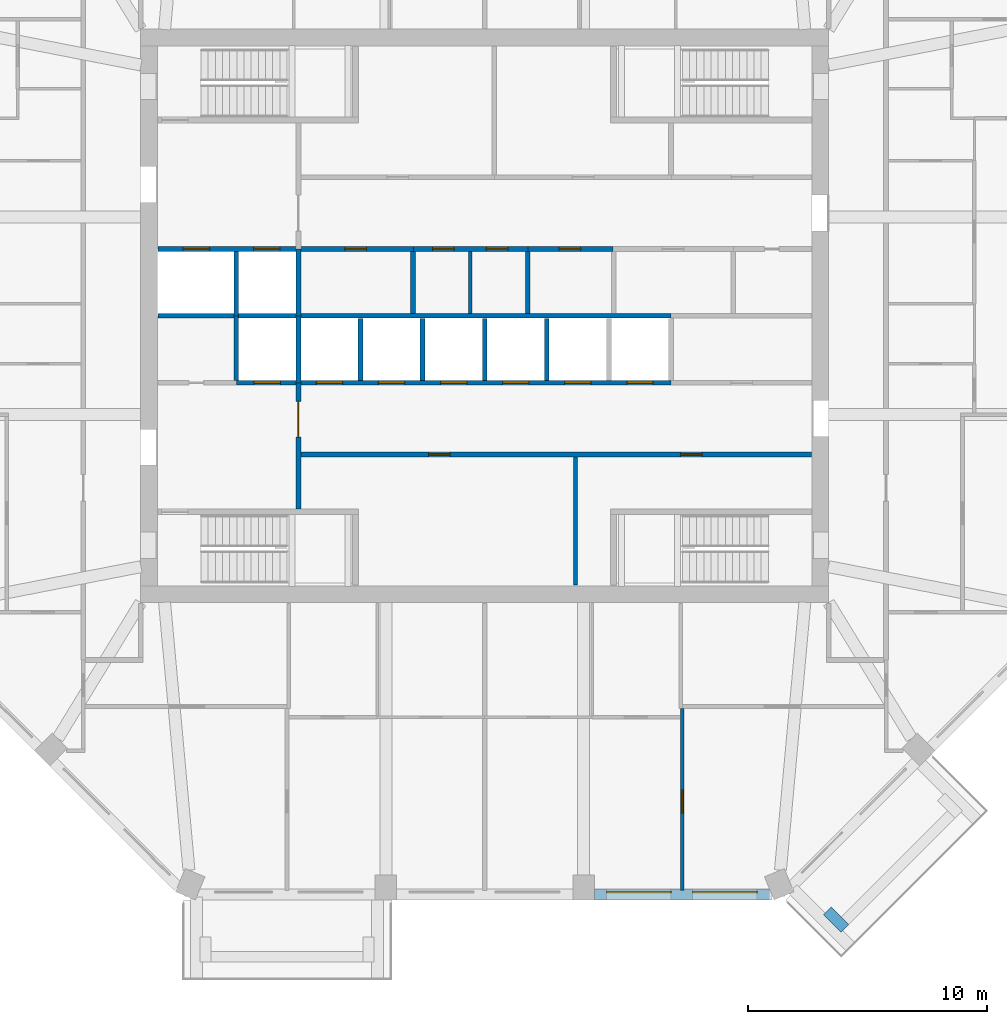
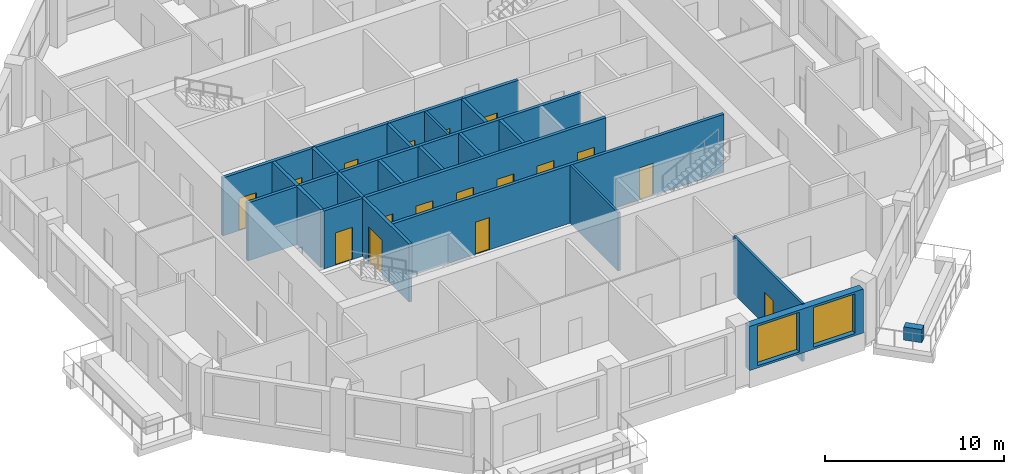
# One storey, part 4 of 10: 23 walls, 17 doors, 2 windows, 19 openings.
"""IFC4 building model written with IfcOpenShell, lengths in metres."""

from ifc_helpers import new_model, si_unit, direction, frame, frame_2d, origin, place, context, subcontext, project, spatial, rectangle, extrude, material, layer, layer_set, type_object, element, fill, save


model = new_model("IFC4")

# Units and contexts
model_context = context("Model", 3, precision=1e-05, world=origin(), true_north=direction((0.0, 1.0)))
body_context = subcontext(model_context, "Body", "Model", "MODEL_VIEW")
ifc_project = project(units=[si_unit("LENGTHUNIT", "METRE"), si_unit("AREAUNIT", "SQUARE_METRE"), si_unit("VOLUMEUNIT", "CUBIC_METRE"), si_unit("PLANEANGLEUNIT", "RADIAN"), si_unit("MASSUNIT", "GRAM", prefix="KILO")], contexts=[model_context])

# Site, building, storey
site_placement = place(None, origin())
site = spatial("IfcSite", under=ifc_project, at=site_placement, CompositionType="ELEMENT")
building_placement = place(site_placement, origin())
building = spatial("IfcBuilding", under=site, at=building_placement, Name="Msitu Wima Residences", CompositionType="ELEMENT")
storey_placement = place(building_placement, frame((0.0, 0.0, 187.5)))
storey = spatial("IfcBuildingStorey", under=building, at=storey_placement, Name="L43", CompositionType="ELEMENT", Elevation=187.5)

# Wall
ifc_material_1 = material(Name="Facing brick")
ifc_layer_1 = layer(ifc_material_1, 0.06494140625, Name="Facing brick")
ifc_material_2 = material(Name="Concrete C40/50", Category="concrete")
ifc_layer_2 = layer(ifc_material_2, 0.156005859375, Name="Concrete C40/50")
ifc_material_3 = material(Name="Waterproofing membrane")
ifc_layer_3 = layer(ifc_material_3, 0.00390625, Name="Waterproofing membrane")
ifc_material_4 = material(Name="Planting soil and planting")
ifc_layer_4 = layer(ifc_material_4, 0.22509765625, Name="Planting soil and planting")
ifc_layer_set_1 = layer_set([ifc_layer_1, ifc_layer_2, ifc_layer_3, ifc_layer_4], Name="Concrete C40/50")
wall_type_1 = type_object("IfcWallType", Name="Balcony planter PLANTER PL450", PredefinedType="USERDEFINED", material=ifc_layer_set_1)
wall_1_placement = place(storey_placement, frame((14.338623046875, -24.901611328125, 0.0), z_axis=(0.0, 0.0, 1.0), x_axis=(0.707106781187, -0.707106781187, 0.0)))
element("IfcWall", 1, at=wall_1_placement, inside=storey, type_object=wall_type_1, Name="Balcony planter SE0 L43", ObjectType="PLANTER", PredefinedType="USERDEFINED", context=body_context, shape_type="SweptSolid", body=[
    extrude(rectangle(XDim=1.050048828125, YDim=0.449951171875, at=frame_2d((0.52490234375, 0.0))), origin(), (0.0, 0.0, 1.0), 0.89990234375),
])

# Wall, openings, windows
ifc_material_5 = material(Name="Brick (red buff mix)", Category="masonry")
ifc_layer_5 = layer(ifc_material_5, 0.449951171875)
ifc_layer_set_2 = layer_set([ifc_layer_5], Name="Brick (red buff mix)")
wall_type_2 = type_object("IfcWallType", Name="Brick infill wall BW450", PredefinedType="SOLIDWALL", material=ifc_layer_set_2)
wall_2_placement = place(storey_placement, frame((4.587158203125, -24.22509765625, 0.89990234375), z_axis=(0.0, 0.0, 1.0), x_axis=(1.0, 0.0, 0.0)))
wall_2 = element("IfcWall", 2, at=wall_2_placement, inside=storey, type_object=wall_type_2, Name="Brick infill wall L43 S2", PredefinedType="SOLIDWALL", context=body_context, shape_type="SweptSolid", body=[
    extrude(rectangle(XDim=7.337646484375, YDim=0.449951171875, at=frame_2d((3.6689453125, 0.0))), origin(), (0.0, 0.0, 1.0), 3.0),
])
opening_1_placement = place(wall_2_placement, frame((0.518798828125, 0.0, 0.14990234375)))
opening_1 = element("IfcOpeningElement", 3, at=opening_1_placement, cuts=wall_2, Name="Opening W43-45.020", PredefinedType="OPENING", context=body_context, shape_type="SweptSolid", body=[
    extrude(rectangle(XDim=2.699951171875, YDim=2.699951171875, at=frame_2d((1.35009765625, 1.35009765625))), frame((0.0, 0.23486328125, 0.0), z_axis=(0.0, -1.0, 0.0), x_axis=(1.0, 0.0, 0.0)), (0.0, 0.0, 1.0), 0.469970703125),
])
opening_2_placement = place(wall_2_placement, frame((4.11865234375, 0.0, 0.14990234375)))
opening_2 = element("IfcOpeningElement", 4, at=opening_2_placement, cuts=wall_2, Name="Opening W43-45.021", PredefinedType="OPENING", context=body_context, shape_type="SweptSolid", body=[
    extrude(rectangle(XDim=2.699951171875, YDim=2.699951171875, at=frame_2d((1.35009765625, 1.35009765625))), frame((0.0, 0.23486328125, 0.0), z_axis=(0.0, -1.0, 0.0), x_axis=(1.0, 0.0, 0.0)), (0.0, 0.0, 1.0), 0.469970703125),
])
ifc_material_6 = material(Name="Anodised aluminium, bronze finish, clear low-emissivity double glazing", Category="aluminium")
window_type = type_object("IfcWindowType", Name="Window W2700x2700", PartitioningType="DOUBLE_PANEL_VERTICAL", PredefinedType="WINDOW", material=ifc_material_6)
window_1_placement = place(opening_1_placement, origin())
window_1 = element("IfcWindow", 5, at=window_1_placement, inside=storey, type_object=window_type, Name="Window L43 S2.1", OverallHeight=2.699951171875, OverallWidth=2.699951171875, PartitioningType="SINGLE_PANEL", PredefinedType="WINDOW", context=body_context, shape_type="SweptSolid", body=[
    extrude(rectangle(XDim=2.699951171875, YDim=2.699951171875, at=frame_2d((1.35009765625, 1.35009765625))), frame((0.0, 0.135009765625, 0.0), z_axis=(0.0, -1.0, 0.0), x_axis=(1.0, 0.0, 0.0)), (0.0, 0.0, 1.0), 0.06005859375),
])
fill(opening_1, window_1)
window_2_placement = place(opening_2_placement, origin())
window_2 = element("IfcWindow", 6, at=window_2_placement, inside=storey, type_object=window_type, Name="Window L43 S2.2", OverallHeight=2.699951171875, OverallWidth=2.699951171875, PartitioningType="SINGLE_PANEL", PredefinedType="WINDOW", context=body_context, shape_type="SweptSolid", body=[
    extrude(rectangle(XDim=2.699951171875, YDim=2.699951171875, at=frame_2d((1.35009765625, 1.35009765625))), frame((0.0, 0.135009765625, 0.0), z_axis=(0.0, -1.0, 0.0), x_axis=(1.0, 0.0, 0.0)), (0.0, 0.0, 1.0), 0.06005859375),
])
fill(opening_2, window_2)

# Wall, opening, door
ifc_material_7 = material(Name="Plaster")
ifc_layer_6 = layer(ifc_material_7, 0.011962890625, Name="Plaster")
ifc_material_8 = material(Name="Concrete blockwork", Category="masonry")
ifc_layer_7 = layer(ifc_material_8, 0.176025390625, Name="Concrete blockwork")
ifc_layer_8 = layer(ifc_material_7, 0.011962890625, Name="Plaster")
ifc_layer_set_3 = layer_set([ifc_layer_6, ifc_layer_7, ifc_layer_8], Name="Concrete blockwork")
wall_type_3 = type_object("IfcWallType", Name="Corridor wall FW200", PredefinedType="PARTITIONING", material=ifc_layer_set_3)
wall_3_placement = place(storey_placement, frame((-7.800048828125, -8.074951171875, 0.0), z_axis=(0.0, 0.0, 1.0), x_axis=(0.0, 1.0, 0.0)))
wall_3 = element("IfcWall", 7, at=wall_3_placement, inside=storey, type_object=wall_type_3, Name="Corridor wall", PredefinedType="PARTITIONING", context=body_context, shape_type="SweptSolid", body=[
    extrude(rectangle(XDim=5.27490234375, YDim=0.199951171875, at=frame_2d((2.637451171875, 0.0))), origin(), (0.0, 0.0, 1.0), 3.949951171875),
])
opening_3_placement = place(wall_3_placement, frame((3.0, 0.0, 0.0)))
opening_3 = element("IfcOpeningElement", 8, at=opening_3_placement, cuts=wall_3, Name="Opening D43-45.054", PredefinedType="OPENING", context=body_context, shape_type="SweptSolid", body=[
    extrude(rectangle(XDim=1.5, YDim=2.39990234375, at=frame_2d((0.75, 1.199951171875))), frame((0.0, 0.10986328125, 0.0), z_axis=(0.0, -1.0, 0.0), x_axis=(1.0, 0.0, 0.0)), (0.0, 0.0, 1.0), 0.219970703125),
])
ifc_material_9 = material(Name="Steel framed glazed door, fire resisting", Category="steel")
door_type_1 = type_object("IfcDoorType", Name="Lobby door D07 1500x2400", OperationType="DOUBLE_DOOR_SINGLE_SWING", PredefinedType="DOOR", material=ifc_material_9)
door_1_placement = place(opening_3_placement, origin())
door_1 = element("IfcDoor", 9, at=door_1_placement, inside=storey, type_object=door_type_1, Name="Lobby door", OperationType="DOUBLE_DOOR_SINGLE_SWING", OverallHeight=2.39990234375, OverallWidth=1.5, PredefinedType="DOOR", context=body_context, shape_type="SweptSolid", body=[
    extrude(rectangle(XDim=1.5, YDim=2.39990234375, at=frame_2d((0.75, 1.199951171875))), frame((0.0, 0.02490234375, 0.0), z_axis=(0.0, -1.0, 0.0), x_axis=(1.0, 0.0, 0.0)), (0.0, 0.0, 1.0), 0.050048828125),
])
fill(opening_3, door_1)

# Wall, openings, doors
wall_4_placement = place(storey_placement, frame((-7.699951171875, -5.800048828125, 0.0), z_axis=(0.0, 0.0, 1.0), x_axis=(1.0, 0.0, 0.0)))
wall_4 = element("IfcWall", 10, at=wall_4_placement, inside=storey, type_object=wall_type_3, Name="Corridor wall", PredefinedType="PARTITIONING", context=body_context, shape_type="SweptSolid", body=[
    extrude(rectangle(XDim=21.369873046875, YDim=0.199951171875, at=frame_2d((10.68505859375, 0.0))), origin(), (0.0, 0.0, 1.0), 3.949951171875),
])
opening_4_placement = place(wall_4_placement, frame((5.35009765625, 0.0, 0.0)))
opening_4 = element("IfcOpeningElement", 11, at=opening_4_placement, cuts=wall_4, Name="Opening D43-45.058", PredefinedType="OPENING", context=body_context, shape_type="SweptSolid", body=[
    extrude(rectangle(XDim=0.89990234375, YDim=2.199951171875, at=frame_2d((0.449951171875, 1.10009765625))), frame((0.0, 0.10986328125, 0.0), z_axis=(0.0, -1.0, 0.0), x_axis=(1.0, 0.0, 0.0)), (0.0, 0.0, 1.0), 0.219970703125),
])
opening_5_placement = place(wall_4_placement, frame((15.89990234375, 0.0, 0.0)))
opening_5 = element("IfcOpeningElement", 12, at=opening_5_placement, cuts=wall_4, Name="Opening D43-45.059", PredefinedType="OPENING", context=body_context, shape_type="SweptSolid", body=[
    extrude(rectangle(XDim=0.89990234375, YDim=2.199951171875, at=frame_2d((0.449951171875, 1.10009765625))), frame((0.0, 0.10986328125, 0.0), z_axis=(0.0, -1.0, 0.0), x_axis=(1.0, 0.0, 0.0)), (0.0, 0.0, 1.0), 0.219970703125),
])
ifc_material_10 = material(Name="Timber flush door", Category="wood")
door_type_2 = type_object("IfcDoorType", Name="Service door D05 900x2200", OperationType="SINGLE_SWING_LEFT", PredefinedType="DOOR", material=ifc_material_10)
door_2_placement = place(opening_4_placement, origin())
door_2 = element("IfcDoor", 13, at=door_2_placement, inside=storey, type_object=door_type_2, Name="Service door", OperationType="SINGLE_SWING_RIGHT", OverallHeight=2.199951171875, OverallWidth=0.89990234375, PredefinedType="DOOR", context=body_context, shape_type="SweptSolid", body=[
    extrude(rectangle(XDim=0.89990234375, YDim=2.199951171875, at=frame_2d((0.449951171875, 1.10009765625))), frame((0.0, 0.02490234375, 0.0), z_axis=(0.0, -1.0, 0.0), x_axis=(1.0, 0.0, 0.0)), (0.0, 0.0, 1.0), 0.050048828125),
])
fill(opening_4, door_2)
door_3_placement = place(opening_5_placement, origin())
door_3 = element("IfcDoor", 14, at=door_3_placement, inside=storey, type_object=door_type_2, Name="Service door", OperationType="SINGLE_SWING_LEFT", OverallHeight=2.199951171875, OverallWidth=0.89990234375, PredefinedType="DOOR", context=body_context, shape_type="SweptSolid", body=[
    extrude(rectangle(XDim=0.89990234375, YDim=2.199951171875, at=frame_2d((0.449951171875, 1.10009765625))), frame((0.0, 0.02490234375, 0.0), z_axis=(0.0, -1.0, 0.0), x_axis=(1.0, 0.0, 0.0)), (0.0, 0.0, 1.0), 0.050048828125),
])
fill(opening_5, door_3)

wall_5_placement = place(storey_placement, frame((-2.97998046875, 2.800048828125, 0.0), z_axis=(0.0, 0.0, 1.0), x_axis=(1.0, 0.0, 0.0)))
wall_5 = element("IfcWall", 15, at=wall_5_placement, inside=storey, type_object=wall_type_3, Name="Corridor wall", PredefinedType="PARTITIONING", context=body_context, shape_type="SweptSolid", body=[
    extrude(rectangle(XDim=4.800048828125, YDim=0.199951171875, at=frame_2d((2.39990234375, 0.0))), origin(), (0.0, 0.0, 1.0), 3.949951171875),
])
opening_6_placement = place(wall_5_placement, frame((0.800048828125, 0.0, 0.0)))
opening_6 = element("IfcOpeningElement", 16, at=opening_6_placement, cuts=wall_5, Name="Opening D43-45.063", PredefinedType="OPENING", context=body_context, shape_type="SweptSolid", body=[
    extrude(rectangle(XDim=0.89990234375, YDim=2.199951171875, at=frame_2d((0.449951171875, 1.10009765625))), frame((0.0, 0.10986328125, 0.0), z_axis=(0.0, -1.0, 0.0), x_axis=(1.0, 0.0, 0.0)), (0.0, 0.0, 1.0), 0.219970703125),
])
opening_7_placement = place(wall_5_placement, frame((3.050048828125, 0.0, 0.0)))
opening_7 = element("IfcOpeningElement", 17, at=opening_7_placement, cuts=wall_5, Name="Opening D43-45.064", PredefinedType="OPENING", context=body_context, shape_type="SweptSolid", body=[
    extrude(rectangle(XDim=0.89990234375, YDim=2.199951171875, at=frame_2d((0.449951171875, 1.10009765625))), frame((0.0, 0.10986328125, 0.0), z_axis=(0.0, -1.0, 0.0), x_axis=(1.0, 0.0, 0.0)), (0.0, 0.0, 1.0), 0.219970703125),
])
door_4_placement = place(opening_6_placement, origin())
door_4 = element("IfcDoor", 18, at=door_4_placement, inside=storey, type_object=door_type_2, Name="Service door", OperationType="SINGLE_SWING_LEFT", OverallHeight=2.199951171875, OverallWidth=0.89990234375, PredefinedType="DOOR", context=body_context, shape_type="SweptSolid", body=[
    extrude(rectangle(XDim=0.89990234375, YDim=2.199951171875, at=frame_2d((0.449951171875, 1.10009765625))), frame((0.0, 0.02490234375, 0.0), z_axis=(0.0, -1.0, 0.0), x_axis=(1.0, 0.0, 0.0)), (0.0, 0.0, 1.0), 0.050048828125),
])
fill(opening_6, door_4)
door_5_placement = place(opening_7_placement, origin())
door_5 = element("IfcDoor", 19, at=door_5_placement, inside=storey, type_object=door_type_2, Name="Service door", OperationType="SINGLE_SWING_RIGHT", OverallHeight=2.199951171875, OverallWidth=0.89990234375, PredefinedType="DOOR", context=body_context, shape_type="SweptSolid", body=[
    extrude(rectangle(XDim=0.89990234375, YDim=2.199951171875, at=frame_2d((0.449951171875, 1.10009765625))), frame((0.0, 0.02490234375, 0.0), z_axis=(0.0, -1.0, 0.0), x_axis=(1.0, 0.0, 0.0)), (0.0, 0.0, 1.0), 0.050048828125),
])
fill(opening_7, door_5)

# Walls
ifc_layer_9 = layer(ifc_material_7, 0.011962890625, Name="Plaster")
ifc_layer_10 = layer(ifc_material_8, 0.1259765625, Name="Concrete blockwork")
ifc_layer_11 = layer(ifc_material_7, 0.011962890625, Name="Plaster")
ifc_layer_set_4 = layer_set([ifc_layer_9, ifc_layer_10, ifc_layer_11], Name="Concrete blockwork")
wall_type_4 = type_object("IfcWallType", Name="Partition PW150", PredefinedType="PARTITIONING", material=ifc_layer_set_4)
wall_6_placement = place(storey_placement, frame((-0.60009765625, 0.10009765625, 0.0), z_axis=(0.0, 0.0, 1.0), x_axis=(0.0, 1.0, 0.0)))
element("IfcWall", 20, at=wall_6_placement, inside=storey, type_object=wall_type_4, Name="Partition", PredefinedType="PARTITIONING", context=body_context, shape_type="SweptSolid", body=[
    extrude(rectangle(XDim=2.599853515625, YDim=0.14990234375, at=frame_2d((1.2998046875, 0.0))), origin(), (0.0, 0.0, 1.0), 3.949951171875),
])
wall_7_placement = place(storey_placement, frame((3.800048828125, -11.27001953125, 0.0), z_axis=(0.0, 0.0, 1.0), x_axis=(0.0, 1.0, 0.0)))
element("IfcWall", 21, at=wall_7_placement, inside=storey, type_object=wall_type_4, Name="Partition", PredefinedType="PARTITIONING", context=body_context, shape_type="SweptSolid", body=[
    extrude(rectangle(XDim=5.3701171875, YDim=0.14990234375, at=frame_2d((2.68505859375, 0.0))), origin(), (0.0, 0.0, 1.0), 3.949951171875),
])

# Wall, opening, door
wall_8_placement = place(storey_placement, frame((8.2744140625, -24.054931640625, 0.0), z_axis=(0.0, 0.0, 1.0), x_axis=(0.0, 1.0, 0.0)))
wall_8 = element("IfcWall", 22, at=wall_8_placement, inside=storey, type_object=wall_type_4, Name="Partition", PredefinedType="PARTITIONING", context=body_context, shape_type="SweptSolid", body=[
    extrude(rectangle(XDim=7.6298828125, YDim=0.14990234375, at=frame_2d((3.81494140625, 0.0))), origin(), (0.0, 0.0, 1.0), 3.949951171875),
])
opening_8_placement = place(wall_8_placement, frame((3.25, 0.0, 0.0)))
opening_8 = element("IfcOpeningElement", 23, at=opening_8_placement, cuts=wall_8, Name="Opening D43-45.013", PredefinedType="OPENING", context=body_context, shape_type="SweptSolid", body=[
    extrude(rectangle(XDim=0.949951171875, YDim=2.199951171875, at=frame_2d((0.47509765625, 1.10009765625))), frame((0.0, 0.0849609375, 0.0), z_axis=(0.0, -1.0, 0.0), x_axis=(1.0, 0.0, 0.0)), (0.0, 0.0, 1.0), 0.169921875),
])
door_type_3 = type_object("IfcDoorType", Name="Room door D12 950x2200", OperationType="SINGLE_SWING_LEFT", PredefinedType="DOOR", material=ifc_material_10)
door_6_placement = place(opening_8_placement, origin())
door_6 = element("IfcDoor", 24, at=door_6_placement, inside=storey, type_object=door_type_3, Name="Room door", OperationType="SINGLE_SWING_RIGHT", OverallHeight=2.199951171875, OverallWidth=0.949951171875, PredefinedType="DOOR", context=body_context, shape_type="SweptSolid", body=[
    extrude(rectangle(XDim=0.949951171875, YDim=2.199951171875, at=frame_2d((0.47509765625, 1.10009765625))), frame((0.0, 0.02490234375, 0.0), z_axis=(0.0, -1.0, 0.0), x_axis=(1.0, 0.0, 0.0)), (0.0, 0.0, 1.0), 0.050048828125),
])
fill(opening_8, door_6)

ifc_layer_12 = layer(ifc_material_7, 0.011962890625, Name="Plaster")
ifc_material_11 = material(Name="Reinforced concrete blockwork", Category="masonry")
ifc_layer_13 = layer(ifc_material_11, 0.176025390625, Name="Reinforced concrete blockwork")
ifc_layer_14 = layer(ifc_material_7, 0.011962890625, Name="Plaster")
ifc_layer_set_5 = layer_set([ifc_layer_12, ifc_layer_13, ifc_layer_14], Name="Reinforced concrete blockwork")
wall_type_5 = type_object("IfcWallType", Name="Plant and riser wall PL200", PredefinedType="PARTITIONING", material=ifc_layer_set_5)
wall_9_placement = place(storey_placement, frame((-7.800048828125, 2.800048828125, 0.0), z_axis=(0.0, 0.0, 1.0), x_axis=(1.0, 0.0, 0.0)))
wall_9 = element("IfcWall", 25, at=wall_9_placement, inside=storey, type_object=wall_type_5, Name="Plant and riser wall", PredefinedType="PARTITIONING", context=body_context, shape_type="SweptSolid", body=[
    extrude(rectangle(XDim=4.820068359375, YDim=0.199951171875, at=frame_2d((2.41015625, 0.0))), origin(), (0.0, 0.0, 1.0), 3.949951171875),
])
opening_9_placement = place(wall_9_placement, frame((1.949951171875, 0.0, 0.0)))
opening_9 = element("IfcOpeningElement", 26, at=opening_9_placement, cuts=wall_9, Name="Opening D43-45.062", PredefinedType="OPENING", context=body_context, shape_type="SweptSolid", body=[
    extrude(rectangle(XDim=0.89990234375, YDim=2.199951171875, at=frame_2d((0.449951171875, 1.10009765625))), frame((0.0, 0.10986328125, 0.0), z_axis=(0.0, -1.0, 0.0), x_axis=(1.0, 0.0, 0.0)), (0.0, 0.0, 1.0), 0.219970703125),
])
door_7_placement = place(opening_9_placement, origin())
door_7 = element("IfcDoor", 27, at=door_7_placement, inside=storey, type_object=door_type_2, Name="Service door", OperationType="SINGLE_SWING_RIGHT", OverallHeight=2.199951171875, OverallWidth=0.89990234375, PredefinedType="DOOR", context=body_context, shape_type="SweptSolid", body=[
    extrude(rectangle(XDim=0.89990234375, YDim=2.199951171875, at=frame_2d((0.449951171875, 1.10009765625))), frame((0.0, 0.02490234375, 0.0), z_axis=(0.0, -1.0, 0.0), x_axis=(1.0, 0.0, 0.0)), (0.0, 0.0, 1.0), 0.050048828125),
])
fill(opening_9, door_7)

# Wall
wall_10_placement = place(storey_placement, frame((-3.0, 0.10009765625, 0.0), z_axis=(0.0, 0.0, 1.0), x_axis=(0.0, 1.0, 0.0)))
element("IfcWall", 28, at=wall_10_placement, inside=storey, type_object=wall_type_5, Name="Plant and riser wall", PredefinedType="PARTITIONING", context=body_context, shape_type="SweptSolid", body=[
    extrude(rectangle(XDim=2.599853515625, YDim=0.199951171875, at=frame_2d((1.2998046875, 0.0))), origin(), (0.0, 0.0, 1.0), 3.949951171875),
])

# Wall, opening, door
wall_11_placement = place(storey_placement, frame((1.820068359375, 2.800048828125, 0.0), z_axis=(0.0, 0.0, 1.0), x_axis=(1.0, 0.0, 0.0)))
wall_11 = element("IfcWall", 29, at=wall_11_placement, inside=storey, type_object=wall_type_5, Name="Plant and riser wall", PredefinedType="PARTITIONING", context=body_context, shape_type="SweptSolid", body=[
    extrude(rectangle(XDim=3.559814453125, YDim=0.199951171875, at=frame_2d((1.77978515625, 0.0))), origin(), (0.0, 0.0, 1.0), 3.949951171875),
])
opening_10_placement = place(wall_11_placement, frame((1.300048828125, 0.0, 0.0)))
opening_10 = element("IfcOpeningElement", 30, at=opening_10_placement, cuts=wall_11, Name="Opening D43-45.065", PredefinedType="OPENING", context=body_context, shape_type="SweptSolid", body=[
    extrude(rectangle(XDim=0.89990234375, YDim=2.199951171875, at=frame_2d((0.449951171875, 1.10009765625))), frame((0.0, 0.10986328125, 0.0), z_axis=(0.0, -1.0, 0.0), x_axis=(1.0, 0.0, 0.0)), (0.0, 0.0, 1.0), 0.219970703125),
])
door_8_placement = place(opening_10_placement, origin())
door_8 = element("IfcDoor", 31, at=door_8_placement, inside=storey, type_object=door_type_2, Name="Service door", OperationType="SINGLE_SWING_RIGHT", OverallHeight=2.199951171875, OverallWidth=0.89990234375, PredefinedType="DOOR", context=body_context, shape_type="SweptSolid", body=[
    extrude(rectangle(XDim=0.89990234375, YDim=2.199951171875, at=frame_2d((0.449951171875, 1.10009765625))), frame((0.0, 0.02490234375, 0.0), z_axis=(0.0, -1.0, 0.0), x_axis=(1.0, 0.0, 0.0)), (0.0, 0.0, 1.0), 0.050048828125),
])
fill(opening_10, door_8)

# Walls
wall_12_placement = place(storey_placement, frame((1.800048828125, 0.10009765625, 0.0), z_axis=(0.0, 0.0, 1.0), x_axis=(0.0, 1.0, 0.0)))
element("IfcWall", 32, at=wall_12_placement, inside=storey, type_object=wall_type_5, Name="Plant and riser wall", PredefinedType="PARTITIONING", context=body_context, shape_type="SweptSolid", body=[
    extrude(rectangle(XDim=2.599853515625, YDim=0.199951171875, at=frame_2d((1.2998046875, 0.0))), origin(), (0.0, 0.0, 1.0), 3.949951171875),
])
ifc_material_12 = material(Name="Fire-rated board")
ifc_layer_15 = layer(ifc_material_12, 0.02490234375, Name="Fire-rated board")
ifc_material_13 = material(Name="Light-gauge stud framing with mineral wool")
ifc_layer_16 = layer(ifc_material_13, 0.14990234375, Name="Light-gauge stud framing with mineral wool")
ifc_layer_17 = layer(ifc_material_12, 0.02490234375, Name="Fire-rated board")
ifc_layer_set_6 = layer_set([ifc_layer_15, ifc_layer_16, ifc_layer_17], Name="Light-gauge stud framing with mineral wool")
wall_type_6 = type_object("IfcWallType", Name="Shaft wall SH200", PredefinedType="PARTITIONING", material=ifc_layer_set_6)
wall_13_placement = place(storey_placement, frame((-13.669921875, 0.0, 0.0), z_axis=(0.0, 0.0, 1.0), x_axis=(1.0, 0.0, 0.0)))
element("IfcWall", 33, at=wall_13_placement, inside=storey, type_object=wall_type_6, Name="Shaft wall", PredefinedType="PARTITIONING", context=body_context, shape_type="SweptSolid", body=[
    extrude(rectangle(XDim=21.469970703125, YDim=0.199951171875, at=frame_2d((10.73486328125, 0.0))), origin(), (0.0, 0.0, 1.0), 3.949951171875),
])

# Wall, openings, doors
wall_14_placement = place(storey_placement, frame((-13.669921875, 2.800048828125, 0.0), z_axis=(0.0, 0.0, 1.0), x_axis=(1.0, 0.0, 0.0)))
wall_14 = element("IfcWall", 34, at=wall_14_placement, inside=storey, type_object=wall_type_6, Name="Shaft wall", PredefinedType="PARTITIONING", context=body_context, shape_type="SweptSolid", body=[
    extrude(rectangle(XDim=5.869873046875, YDim=0.199951171875, at=frame_2d((2.93505859375, 0.0))), origin(), (0.0, 0.0, 1.0), 3.949951171875),
])
opening_11_placement = place(wall_14_placement, frame((1.050048828125, 0.0, 0.0)))
opening_11 = element("IfcOpeningElement", 35, at=opening_11_placement, cuts=wall_14, Name="Opening LD", PredefinedType="OPENING", context=body_context, shape_type="SweptSolid", body=[
    extrude(rectangle(XDim=1.10009765625, YDim=2.199951171875, at=frame_2d((0.550048828125, 1.10009765625))), frame((0.0, 0.10986328125, 0.0), z_axis=(0.0, -1.0, 0.0), x_axis=(1.0, 0.0, 0.0)), (0.0, 0.0, 1.0), 0.219970703125),
])
opening_12_placement = place(wall_14_placement, frame((4.0, 0.0, 0.0)))
opening_12 = element("IfcOpeningElement", 36, at=opening_12_placement, cuts=wall_14, Name="Opening LD", PredefinedType="OPENING", context=body_context, shape_type="SweptSolid", body=[
    extrude(rectangle(XDim=1.10009765625, YDim=2.199951171875, at=frame_2d((0.550048828125, 1.10009765625))), frame((0.0, 0.10986328125, 0.0), z_axis=(0.0, -1.0, 0.0), x_axis=(1.0, 0.0, 0.0)), (0.0, 0.0, 1.0), 0.219970703125),
])
ifc_material_14 = material(Name="Stainless steel centre-opening landing door, rated", Category="steel")
door_type_4 = type_object("IfcDoorType", Name="Lift landing door LD 1100x2200", OperationType="DOUBLE_DOOR_SLIDING", PredefinedType="DOOR", material=ifc_material_14)
door_9_placement = place(opening_11_placement, origin())
door_9 = element("IfcDoor", 37, at=door_9_placement, inside=storey, type_object=door_type_4, Name="Lift landing door LD1", OperationType="DOUBLE_DOOR_SLIDING", OverallHeight=2.199951171875, OverallWidth=1.10009765625, PredefinedType="DOOR", context=body_context, shape_type="SweptSolid", body=[
    extrude(rectangle(XDim=1.10009765625, YDim=2.199951171875, at=frame_2d((0.550048828125, 1.10009765625))), frame((0.0, 0.02490234375, 0.0), z_axis=(0.0, -1.0, 0.0), x_axis=(1.0, 0.0, 0.0)), (0.0, 0.0, 1.0), 0.050048828125),
])
fill(opening_11, door_9)
door_10_placement = place(opening_12_placement, origin())
door_10 = element("IfcDoor", 38, at=door_10_placement, inside=storey, type_object=door_type_4, Name="Lift landing door LD2", OperationType="DOUBLE_DOOR_SLIDING", OverallHeight=2.199951171875, OverallWidth=1.10009765625, PredefinedType="DOOR", context=body_context, shape_type="SweptSolid", body=[
    extrude(rectangle(XDim=1.10009765625, YDim=2.199951171875, at=frame_2d((0.550048828125, 1.10009765625))), frame((0.0, 0.02490234375, 0.0), z_axis=(0.0, -1.0, 0.0), x_axis=(1.0, 0.0, 0.0)), (0.0, 0.0, 1.0), 0.050048828125),
])
fill(opening_12, door_10)

# Wall
wall_15_placement = place(storey_placement, frame((-10.39990234375, -2.699951171875, 0.0), z_axis=(0.0, 0.0, 1.0), x_axis=(0.0, 1.0, 0.0)))
element("IfcWall", 39, at=wall_15_placement, inside=storey, type_object=wall_type_6, Name="Shaft wall", PredefinedType="PARTITIONING", context=body_context, shape_type="SweptSolid", body=[
    extrude(rectangle(XDim=2.699951171875, YDim=0.199951171875, at=frame_2d((1.35009765625, 0.0))), origin(), (0.0, 0.0, 1.0), 3.949951171875),
])

# Wall, openings, doors
wall_16_placement = place(storey_placement, frame((-10.39990234375, -2.800048828125, 0.0), z_axis=(0.0, 0.0, 1.0), x_axis=(1.0, 0.0, 0.0)))
wall_16 = element("IfcWall", 40, at=wall_16_placement, inside=storey, type_object=wall_type_6, Name="Shaft wall", PredefinedType="PARTITIONING", context=body_context, shape_type="SweptSolid", body=[
    extrude(rectangle(XDim=18.199951171875, YDim=0.199951171875, at=frame_2d((9.10009765625, 0.0))), origin(), (0.0, 0.0, 1.0), 3.949951171875),
])
opening_13_placement = place(wall_16_placement, frame((0.75, 0.0, 0.0)))
opening_13 = element("IfcOpeningElement", 41, at=opening_13_placement, cuts=wall_16, Name="Opening LD", PredefinedType="OPENING", context=body_context, shape_type="SweptSolid", body=[
    extrude(rectangle(XDim=1.10009765625, YDim=2.199951171875, at=frame_2d((0.550048828125, 1.10009765625))), frame((0.0, 0.10986328125, 0.0), z_axis=(0.0, -1.0, 0.0), x_axis=(1.0, 0.0, 0.0)), (0.0, 0.0, 1.0), 0.219970703125),
])
opening_14_placement = place(wall_16_placement, frame((3.35009765625, 0.0, 0.0)))
opening_14 = element("IfcOpeningElement", 42, at=opening_14_placement, cuts=wall_16, Name="Opening LD", PredefinedType="OPENING", context=body_context, shape_type="SweptSolid", body=[
    extrude(rectangle(XDim=1.10009765625, YDim=2.199951171875, at=frame_2d((0.550048828125, 1.10009765625))), frame((0.0, 0.10986328125, 0.0), z_axis=(0.0, -1.0, 0.0), x_axis=(1.0, 0.0, 0.0)), (0.0, 0.0, 1.0), 0.219970703125),
])
opening_15_placement = place(wall_16_placement, frame((5.949951171875, 0.0, 0.0)))
opening_15 = element("IfcOpeningElement", 43, at=opening_15_placement, cuts=wall_16, Name="Opening LD", PredefinedType="OPENING", context=body_context, shape_type="SweptSolid", body=[
    extrude(rectangle(XDim=1.10009765625, YDim=2.199951171875, at=frame_2d((0.550048828125, 1.10009765625))), frame((0.0, 0.10986328125, 0.0), z_axis=(0.0, -1.0, 0.0), x_axis=(1.0, 0.0, 0.0)), (0.0, 0.0, 1.0), 0.219970703125),
])
opening_16_placement = place(wall_16_placement, frame((8.550048828125, 0.0, 0.0)))
opening_16 = element("IfcOpeningElement", 44, at=opening_16_placement, cuts=wall_16, Name="Opening LD", PredefinedType="OPENING", context=body_context, shape_type="SweptSolid", body=[
    extrude(rectangle(XDim=1.10009765625, YDim=2.199951171875, at=frame_2d((0.550048828125, 1.10009765625))), frame((0.0, 0.10986328125, 0.0), z_axis=(0.0, -1.0, 0.0), x_axis=(1.0, 0.0, 0.0)), (0.0, 0.0, 1.0), 0.219970703125),
])
opening_17_placement = place(wall_16_placement, frame((11.14990234375, 0.0, 0.0)))
opening_17 = element("IfcOpeningElement", 45, at=opening_17_placement, cuts=wall_16, Name="Opening LD", PredefinedType="OPENING", context=body_context, shape_type="SweptSolid", body=[
    extrude(rectangle(XDim=1.10009765625, YDim=2.199951171875, at=frame_2d((0.550048828125, 1.10009765625))), frame((0.0, 0.10986328125, 0.0), z_axis=(0.0, -1.0, 0.0), x_axis=(1.0, 0.0, 0.0)), (0.0, 0.0, 1.0), 0.219970703125),
])
opening_18_placement = place(wall_16_placement, frame((13.75, 0.0, 0.0)))
opening_18 = element("IfcOpeningElement", 46, at=opening_18_placement, cuts=wall_16, Name="Opening LD", PredefinedType="OPENING", context=body_context, shape_type="SweptSolid", body=[
    extrude(rectangle(XDim=1.10009765625, YDim=2.199951171875, at=frame_2d((0.550048828125, 1.10009765625))), frame((0.0, 0.10986328125, 0.0), z_axis=(0.0, -1.0, 0.0), x_axis=(1.0, 0.0, 0.0)), (0.0, 0.0, 1.0), 0.219970703125),
])
opening_19_placement = place(wall_16_placement, frame((16.35009765625, 0.0, 0.0)))
opening_19 = element("IfcOpeningElement", 47, at=opening_19_placement, cuts=wall_16, Name="Opening LD", PredefinedType="OPENING", context=body_context, shape_type="SweptSolid", body=[
    extrude(rectangle(XDim=1.10009765625, YDim=2.199951171875, at=frame_2d((0.550048828125, 1.10009765625))), frame((0.0, 0.10986328125, 0.0), z_axis=(0.0, -1.0, 0.0), x_axis=(1.0, 0.0, 0.0)), (0.0, 0.0, 1.0), 0.219970703125),
])
door_11_placement = place(opening_13_placement, origin())
door_11 = element("IfcDoor", 48, at=door_11_placement, inside=storey, type_object=door_type_4, Name="Lift landing door LD3", OperationType="DOUBLE_DOOR_SLIDING", OverallHeight=2.199951171875, OverallWidth=1.10009765625, PredefinedType="DOOR", context=body_context, shape_type="SweptSolid", body=[
    extrude(rectangle(XDim=1.10009765625, YDim=2.199951171875, at=frame_2d((0.550048828125, 1.10009765625))), frame((0.0, 0.02490234375, 0.0), z_axis=(0.0, -1.0, 0.0), x_axis=(1.0, 0.0, 0.0)), (0.0, 0.0, 1.0), 0.050048828125),
])
fill(opening_13, door_11)
door_12_placement = place(opening_14_placement, origin())
door_12 = element("IfcDoor", 49, at=door_12_placement, inside=storey, type_object=door_type_4, Name="Lift landing door LD5", OperationType="DOUBLE_DOOR_SLIDING", OverallHeight=2.199951171875, OverallWidth=1.10009765625, PredefinedType="DOOR", context=body_context, shape_type="SweptSolid", body=[
    extrude(rectangle(XDim=1.10009765625, YDim=2.199951171875, at=frame_2d((0.550048828125, 1.10009765625))), frame((0.0, 0.02490234375, 0.0), z_axis=(0.0, -1.0, 0.0), x_axis=(1.0, 0.0, 0.0)), (0.0, 0.0, 1.0), 0.050048828125),
])
fill(opening_14, door_12)
door_13_placement = place(opening_15_placement, origin())
door_13 = element("IfcDoor", 50, at=door_13_placement, inside=storey, type_object=door_type_4, Name="Lift landing door LD7", OperationType="DOUBLE_DOOR_SLIDING", OverallHeight=2.199951171875, OverallWidth=1.10009765625, PredefinedType="DOOR", context=body_context, shape_type="SweptSolid", body=[
    extrude(rectangle(XDim=1.10009765625, YDim=2.199951171875, at=frame_2d((0.550048828125, 1.10009765625))), frame((0.0, 0.02490234375, 0.0), z_axis=(0.0, -1.0, 0.0), x_axis=(1.0, 0.0, 0.0)), (0.0, 0.0, 1.0), 0.050048828125),
])
fill(opening_15, door_13)
door_14_placement = place(opening_16_placement, origin())
door_14 = element("IfcDoor", 51, at=door_14_placement, inside=storey, type_object=door_type_4, Name="Lift landing door LD9", OperationType="DOUBLE_DOOR_SLIDING", OverallHeight=2.199951171875, OverallWidth=1.10009765625, PredefinedType="DOOR", context=body_context, shape_type="SweptSolid", body=[
    extrude(rectangle(XDim=1.10009765625, YDim=2.199951171875, at=frame_2d((0.550048828125, 1.10009765625))), frame((0.0, 0.02490234375, 0.0), z_axis=(0.0, -1.0, 0.0), x_axis=(1.0, 0.0, 0.0)), (0.0, 0.0, 1.0), 0.050048828125),
])
fill(opening_16, door_14)
door_15_placement = place(opening_17_placement, origin())
door_15 = element("IfcDoor", 52, at=door_15_placement, inside=storey, type_object=door_type_4, Name="Lift landing door LD11", OperationType="DOUBLE_DOOR_SLIDING", OverallHeight=2.199951171875, OverallWidth=1.10009765625, PredefinedType="DOOR", context=body_context, shape_type="SweptSolid", body=[
    extrude(rectangle(XDim=1.10009765625, YDim=2.199951171875, at=frame_2d((0.550048828125, 1.10009765625))), frame((0.0, 0.02490234375, 0.0), z_axis=(0.0, -1.0, 0.0), x_axis=(1.0, 0.0, 0.0)), (0.0, 0.0, 1.0), 0.050048828125),
])
fill(opening_17, door_15)
door_16_placement = place(opening_18_placement, origin())
door_16 = element("IfcDoor", 53, at=door_16_placement, inside=storey, type_object=door_type_4, Name="Lift landing door LD13", OperationType="DOUBLE_DOOR_SLIDING", OverallHeight=2.199951171875, OverallWidth=1.10009765625, PredefinedType="DOOR", context=body_context, shape_type="SweptSolid", body=[
    extrude(rectangle(XDim=1.10009765625, YDim=2.199951171875, at=frame_2d((0.550048828125, 1.10009765625))), frame((0.0, 0.02490234375, 0.0), z_axis=(0.0, -1.0, 0.0), x_axis=(1.0, 0.0, 0.0)), (0.0, 0.0, 1.0), 0.050048828125),
])
fill(opening_18, door_16)
door_17_placement = place(opening_19_placement, origin())
door_17 = element("IfcDoor", 54, at=door_17_placement, inside=storey, type_object=door_type_4, Name="Lift landing door LD15", OperationType="DOUBLE_DOOR_SLIDING", OverallHeight=2.199951171875, OverallWidth=1.10009765625, PredefinedType="DOOR", context=body_context, shape_type="SweptSolid", body=[
    extrude(rectangle(XDim=1.10009765625, YDim=2.199951171875, at=frame_2d((0.550048828125, 1.10009765625))), frame((0.0, 0.02490234375, 0.0), z_axis=(0.0, -1.0, 0.0), x_axis=(1.0, 0.0, 0.0)), (0.0, 0.0, 1.0), 0.050048828125),
])
fill(opening_19, door_17)

# Walls
wall_17_placement = place(storey_placement, frame((-10.39990234375, 0.0, 0.0), z_axis=(0.0, 0.0, 1.0), x_axis=(0.0, 1.0, 0.0)))
element("IfcWall", 55, at=wall_17_placement, inside=storey, type_object=wall_type_6, Name="Shaft wall", PredefinedType="PARTITIONING", context=body_context, shape_type="SweptSolid", body=[
    extrude(rectangle(XDim=2.699951171875, YDim=0.199951171875, at=frame_2d((1.35009765625, 0.0))), origin(), (0.0, 0.0, 1.0), 3.949951171875),
])
for number, where, z_axis, x_axis, name in (
    (56, (-7.800048828125, -2.800048828125, 0.0), (0.0, 0.0, 1.0), (0.0, 1.0, 0.0), "Shaft wall"),
    (57, (-7.800048828125, 0.0, 0.0), (0.0, 0.0, 1.0), (0.0, 1.0, 0.0), "Shaft wall"),
):
    element("IfcWall", number, at=place(storey_placement, frame(where, z_axis=z_axis, x_axis=x_axis)), inside=storey, type_object=wall_type_6, Name=name, PredefinedType="PARTITIONING", context=body_context, shape_type="SweptSolid", body=[
        extrude(rectangle(XDim=2.800048828125, YDim=0.199951171875, at=frame_2d((1.39990234375, 0.0))), origin(), (0.0, 0.0, 1.0), 3.949951171875),
    ])
for number, where, z_axis, x_axis, name in (
    (58, (-5.199951171875, -2.699951171875, 0.0), (0.0, 0.0, 1.0), (0.0, 1.0, 0.0), "Shaft wall"),
    (59, (-2.60009765625, -2.699951171875, 0.0), (0.0, 0.0, 1.0), (0.0, 1.0, 0.0), "Shaft wall"),
    (60, (0.0, -2.699951171875, 0.0), (0.0, 0.0, 1.0), (0.0, 1.0, 0.0), "Shaft wall"),
    (61, (2.60009765625, -2.699951171875, 0.0), (0.0, 0.0, 1.0), (0.0, 1.0, 0.0), "Shaft wall"),
):
    element("IfcWall", number, at=place(storey_placement, frame(where, z_axis=z_axis, x_axis=x_axis)), inside=storey, type_object=wall_type_6, Name=name, PredefinedType="PARTITIONING", context=body_context, shape_type="SweptSolid", body=[
        extrude(rectangle(XDim=2.599853515625, YDim=0.199951171875, at=frame_2d((1.2998046875, 0.0))), origin(), (0.0, 0.0, 1.0), 3.949951171875),
    ])

save(model, "model.ifc")
